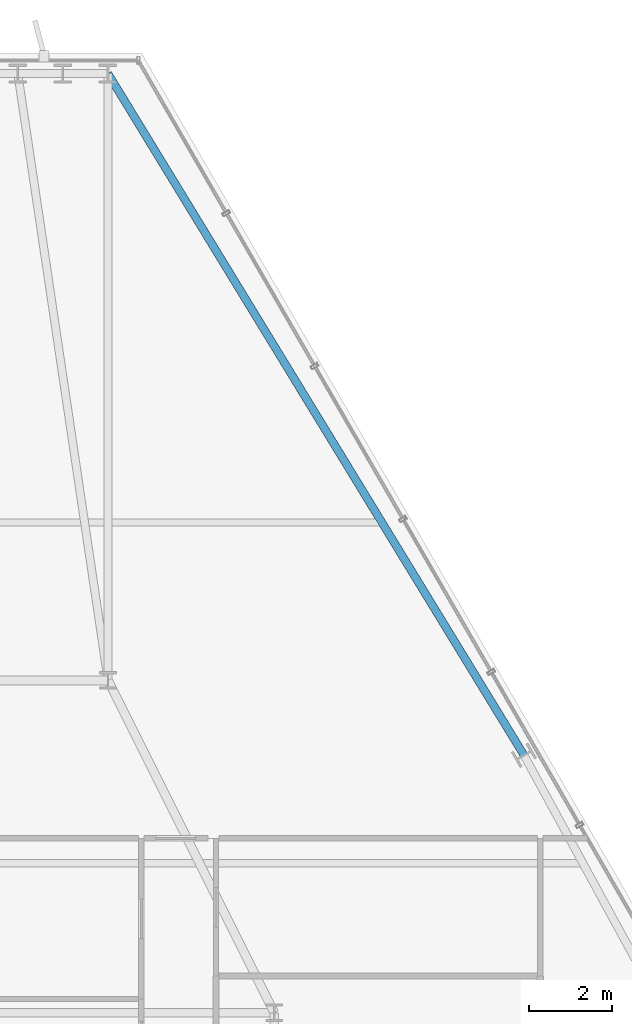
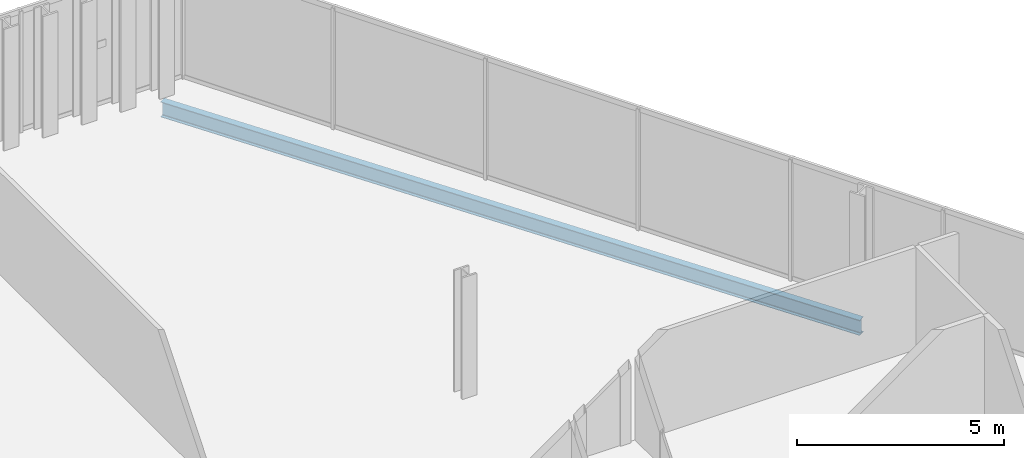
# One storey, part 24 of 34: 1 beam.
"""IFC4 building model written with IfcOpenShell, lengths in metres."""

from ifc_helpers import new_model, si_unit, direction, frame, origin, origin_2d, place, context, subcontext, project, spatial, i_section, extrude, material, material_profile, profile_set, type_object, element, save


model = new_model("IFC4")

# Units and contexts
model_context = context("Model", 3, precision=1e-05, world=origin(), true_north=direction((0.0, 1.0)))
body_context = subcontext(model_context, "Body", "Model", "MODEL_VIEW")
ifc_project = project(units=[si_unit("LENGTHUNIT", "METRE"), si_unit("AREAUNIT", "SQUARE_METRE"), si_unit("VOLUMEUNIT", "CUBIC_METRE"), si_unit("PLANEANGLEUNIT", "RADIAN"), si_unit("MASSUNIT", "GRAM", prefix="KILO")], contexts=[model_context])

# Site, building, storey
site_placement = place(None, origin())
site = spatial("IfcSite", under=ifc_project, at=site_placement, CompositionType="ELEMENT")
building_placement = place(site_placement, origin())
building = spatial("IfcBuilding", under=site, at=building_placement, Name="Ndaravel Arena Tower", CompositionType="ELEMENT")
storey_placement = place(building_placement, frame((0.0, 0.0, 195.39990234375)))
storey = spatial("IfcBuildingStorey", under=building, at=storey_placement, Name="L47", CompositionType="ELEMENT", Elevation=195.39990234375)

# Beam
ifc_material = material(Name="Steel S355", Category="steel")
ifc_material_profile = material_profile(ifc_material, i_section(OverallWidth=0.18994140625, OverallDepth=0.449951171875, WebThickness=0.009521484375, FlangeThickness=0.0146484375, FilletRadius=0.02099609375, at=origin_2d()), Name="IPE 450")
ifc_profile_set = profile_set([ifc_material_profile], Name="Steel S355")
beam_type = type_object("IfcBeamType", Name="BM-SPAN-IPE450", PredefinedType="SPANDREL", material=ifc_profile_set)
beam_placement = place(storey_placement, frame((55.810302734375, 29.39990234375, -0.44482421875), z_axis=(-0.521014769713, 0.853547661083, 0.0), x_axis=(-0.853547661083, -0.521014769713, 0.0)))
element("IfcBeam", 1, at=beam_placement, inside=storey, type_object=beam_type, Name="L47 Perimeter Spandrel Beam SP-10", PredefinedType="SPANDREL", context=body_context, shape_type="SweptSolid", body=[
    extrude(i_section(OverallWidth=0.18994140625, OverallDepth=0.449951171875, WebThickness=0.009521484375, FlangeThickness=0.0146484375, FilletRadius=0.02099609375, at=origin_2d()), origin(), (0.0, 0.0, 1.0), 19.220947265625),
])

save(model, "model.ifc")
